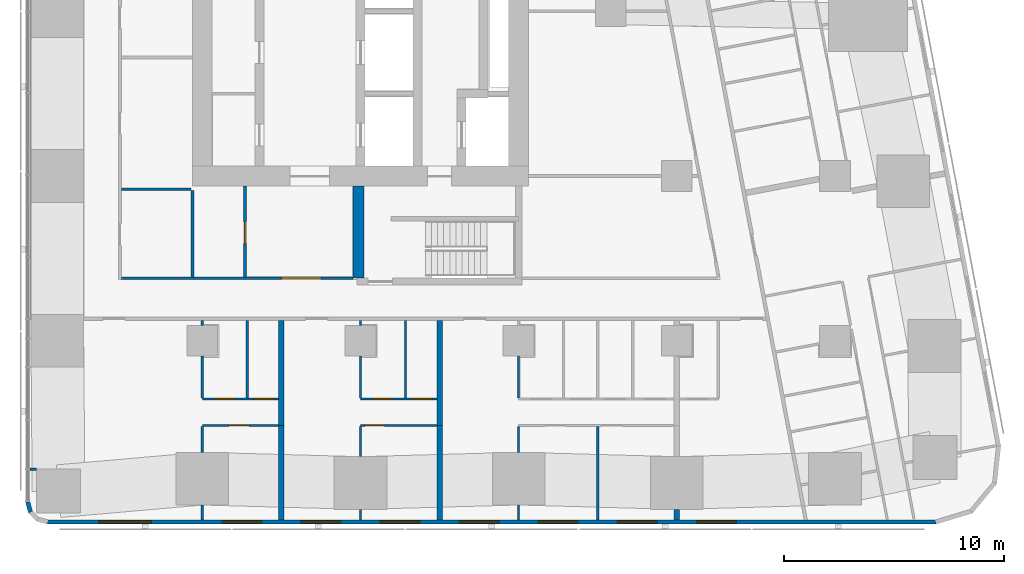
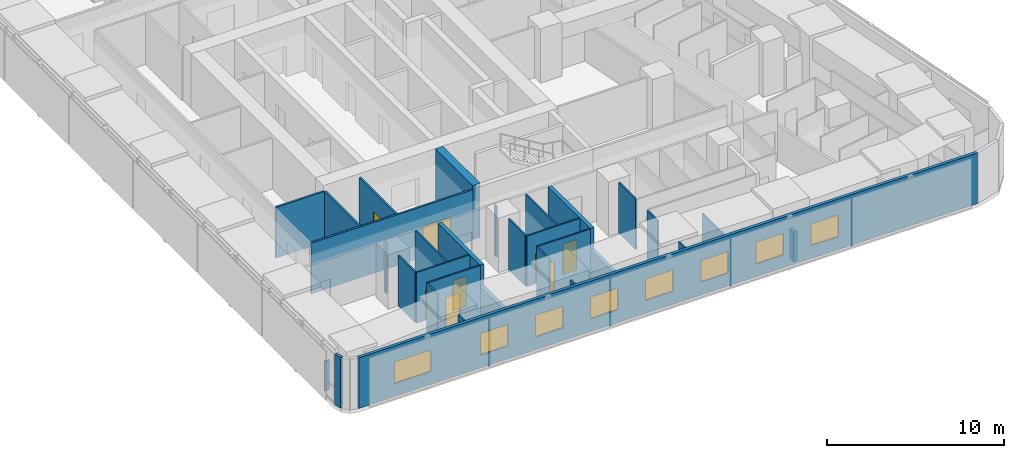
# One storey, part 7 of 17: 31 walls, 8 doors, 8 windows, 16 openings.
"""IFC4 building model written with IfcOpenShell, lengths in metres."""

from ifc_helpers import new_model, si_unit, direction, frame, frame_2d, origin, place, context, subcontext, project, spatial, rectangle, extrude, material, layer, layer_set, type_object, element, fill, save


model = new_model("IFC4")

# Units and contexts
model_context = context("Model", 3, precision=1e-05, world=origin(), true_north=direction((0.0, 1.0)))
body_context = subcontext(model_context, "Body", "Model", "MODEL_VIEW")
ifc_project = project(units=[si_unit("LENGTHUNIT", "METRE"), si_unit("AREAUNIT", "SQUARE_METRE"), si_unit("VOLUMEUNIT", "CUBIC_METRE"), si_unit("PLANEANGLEUNIT", "RADIAN"), si_unit("MASSUNIT", "GRAM", prefix="KILO")], contexts=[model_context])

# Site, building, storey
site_placement = place(None, origin())
site = spatial("IfcSite", under=ifc_project, at=site_placement, CompositionType="ELEMENT")
building_placement = place(site_placement, origin())
building = spatial("IfcBuilding", under=site, at=building_placement, Name="Sheger Commons Tower", CompositionType="ELEMENT")
storey_placement = place(building_placement, frame((0.0, 0.0, 212.449951171875)))
storey = spatial("IfcBuildingStorey", under=building, at=storey_placement, Name="L54", CompositionType="ELEMENT", Elevation=212.449951171875)

# Walls
ifc_material_1 = material(Name="Dense concrete block masonry, plastered both sides (separating wall between flats)", Category="masonry")
ifc_layer_1 = layer(ifc_material_1, 0.25)
ifc_layer_set_1 = layer_set([ifc_layer_1], Name="DEMISING WALL 250")
wall_type_1 = type_object("IfcWallType", Name="DEMISING WALL 250", PredefinedType="SOLIDWALL", material=ifc_layer_set_1)
wall_1_placement = place(storey_placement, frame((18.0, -0.64990234375, 0.0), z_axis=(0.0, 0.0, 1.0), x_axis=(0.0, 1.0, 0.0)))
element("IfcWall", 1, at=wall_1_placement, inside=storey, type_object=wall_type_1, Name="Demising wall L54", PredefinedType="SOLIDWALL", context=body_context, shape_type="SweptSolid", body=[
    extrude(rectangle(XDim=4.2998046875, YDim=0.25, at=frame_2d((2.14990234375, 0.0))), origin(), (0.0, 0.0, 1.0), 2.050048828125),
])
wall_2_placement = place(storey_placement, frame((18.0, 3.64990234375, 0.0), z_axis=(0.0, 0.0, 1.0), x_axis=(0.0, 1.0, 0.0)))
element("IfcWall", 2, at=wall_2_placement, inside=storey, type_object=wall_type_1, Name="Demising wall L54", PredefinedType="SOLIDWALL", context=body_context, shape_type="SweptSolid", body=[
    extrude(rectangle(XDim=4.775146484375, YDim=0.25, at=frame_2d((2.3876953125, 0.0))), origin(), (0.0, 0.0, 1.0), 3.5),
])
wall_3_placement = place(storey_placement, frame((25.199951171875, -0.64990234375, 0.0), z_axis=(0.0, 0.0, 1.0), x_axis=(0.0, 1.0, 0.0)))
element("IfcWall", 3, at=wall_3_placement, inside=storey, type_object=wall_type_1, Name="Demising wall L54", PredefinedType="SOLIDWALL", context=body_context, shape_type="SweptSolid", body=[
    extrude(rectangle(XDim=4.2998046875, YDim=0.25, at=frame_2d((2.14990234375, 0.0))), origin(), (0.0, 0.0, 1.0), 2.050048828125),
])
wall_4_placement = place(storey_placement, frame((25.199951171875, 3.64990234375, 0.0), z_axis=(0.0, 0.0, 1.0), x_axis=(0.0, 1.0, 0.0)))
element("IfcWall", 4, at=wall_4_placement, inside=storey, type_object=wall_type_1, Name="Demising wall L54", PredefinedType="SOLIDWALL", context=body_context, shape_type="SweptSolid", body=[
    extrude(rectangle(XDim=4.775146484375, YDim=0.25, at=frame_2d((2.3876953125, 0.0))), origin(), (0.0, 0.0, 1.0), 3.5),
])
wall_5_placement = place(storey_placement, frame((36.0, -0.64990234375, 0.0), z_axis=(0.0, 0.0, 1.0), x_axis=(0.0, 1.0, 0.0)))
element("IfcWall", 5, at=wall_5_placement, inside=storey, type_object=wall_type_1, Name="Demising wall L54", PredefinedType="SOLIDWALL", context=body_context, shape_type="SweptSolid", body=[
    extrude(rectangle(XDim=0.473876953125, YDim=0.25, at=frame_2d((0.23681640625, 0.0))), origin(), (0.0, 0.0, 1.0), 2.050048828125),
])

# Wall, openings, windows
ifc_material_2 = material(Name="Rendered concrete block masonry, dark grey", Category="masonry")
ifc_layer_2 = layer(ifc_material_2, 0.199951171875)
ifc_layer_set_2 = layer_set([ifc_layer_2], Name="FACADE WALL 200")
wall_type_2 = type_object("IfcWallType", Name="FACADE WALL 200", PredefinedType="SOLIDWALL", material=ifc_layer_set_2)
wall_6_placement = place(storey_placement, frame((7.363037109375, -0.75, 0.0), z_axis=(0.0, 0.0, 1.0), x_axis=(1.0, 0.0, 0.0)))
wall_6 = element("IfcWall", 6, at=wall_6_placement, inside=storey, type_object=wall_type_2, Name="Facade wall L54", PredefinedType="SOLIDWALL", context=body_context, shape_type="SweptSolid", body=[
    extrude(rectangle(XDim=40.427978515625, YDim=0.199951171875, at=frame_2d((20.2138671875, 0.0))), origin(), (0.0, 0.0, 1.0), 3.5),
])
opening_1_placement = place(wall_6_placement, frame((2.319091796875, 0.0, 0.89990234375)))
opening_1 = element("IfcOpeningElement", 7, at=opening_1_placement, cuts=wall_6, Name="Opening W1", PredefinedType="OPENING", context=body_context, shape_type="SweptSolid", body=[
    extrude(rectangle(XDim=2.39990234375, YDim=1.5, at=frame_2d((1.199951171875, 0.75))), frame((0.0, 0.10986328125, 0.0), z_axis=(0.0, -1.0, 0.0), x_axis=(1.0, 0.0, 0.0)), (0.0, 0.0, 1.0), 0.219970703125),
])
opening_2_placement = place(wall_6_placement, frame((7.93701171875, 0.0, 0.89990234375)))
opening_2 = element("IfcOpeningElement", 8, at=opening_2_placement, cuts=wall_6, Name="Opening W2", PredefinedType="OPENING", context=body_context, shape_type="SweptSolid", body=[
    extrude(rectangle(XDim=1.800048828125, YDim=1.5, at=frame_2d((0.89990234375, 0.75))), frame((0.0, 0.10986328125, 0.0), z_axis=(0.0, -1.0, 0.0), x_axis=(1.0, 0.0, 0.0)), (0.0, 0.0, 1.0), 0.219970703125),
])
opening_3_placement = place(wall_6_placement, frame((11.537109375, 0.0, 0.89990234375)))
opening_3 = element("IfcOpeningElement", 9, at=opening_3_placement, cuts=wall_6, Name="Opening W2", PredefinedType="OPENING", context=body_context, shape_type="SweptSolid", body=[
    extrude(rectangle(XDim=1.800048828125, YDim=1.5, at=frame_2d((0.89990234375, 0.75))), frame((0.0, 0.10986328125, 0.0), z_axis=(0.0, -1.0, 0.0), x_axis=(1.0, 0.0, 0.0)), (0.0, 0.0, 1.0), 0.219970703125),
])
opening_4_placement = place(wall_6_placement, frame((15.136962890625, 0.0, 0.89990234375)))
opening_4 = element("IfcOpeningElement", 10, at=opening_4_placement, cuts=wall_6, Name="Opening W2", PredefinedType="OPENING", context=body_context, shape_type="SweptSolid", body=[
    extrude(rectangle(XDim=1.800048828125, YDim=1.5, at=frame_2d((0.89990234375, 0.75))), frame((0.0, 0.10986328125, 0.0), z_axis=(0.0, -1.0, 0.0), x_axis=(1.0, 0.0, 0.0)), (0.0, 0.0, 1.0), 0.219970703125),
])
opening_5_placement = place(wall_6_placement, frame((18.737060546875, 0.0, 0.89990234375)))
opening_5 = element("IfcOpeningElement", 11, at=opening_5_placement, cuts=wall_6, Name="Opening W2", PredefinedType="OPENING", context=body_context, shape_type="SweptSolid", body=[
    extrude(rectangle(XDim=1.800048828125, YDim=1.5, at=frame_2d((0.89990234375, 0.75))), frame((0.0, 0.10986328125, 0.0), z_axis=(0.0, -1.0, 0.0), x_axis=(1.0, 0.0, 0.0)), (0.0, 0.0, 1.0), 0.219970703125),
])
opening_6_placement = place(wall_6_placement, frame((22.3369140625, 0.0, 0.89990234375)))
opening_6 = element("IfcOpeningElement", 12, at=opening_6_placement, cuts=wall_6, Name="Opening W2", PredefinedType="OPENING", context=body_context, shape_type="SweptSolid", body=[
    extrude(rectangle(XDim=1.800048828125, YDim=1.5, at=frame_2d((0.89990234375, 0.75))), frame((0.0, 0.10986328125, 0.0), z_axis=(0.0, -1.0, 0.0), x_axis=(1.0, 0.0, 0.0)), (0.0, 0.0, 1.0), 0.219970703125),
])
opening_7_placement = place(wall_6_placement, frame((25.93701171875, 0.0, 0.89990234375)))
opening_7 = element("IfcOpeningElement", 13, at=opening_7_placement, cuts=wall_6, Name="Opening W2", PredefinedType="OPENING", context=body_context, shape_type="SweptSolid", body=[
    extrude(rectangle(XDim=1.800048828125, YDim=1.5, at=frame_2d((0.89990234375, 0.75))), frame((0.0, 0.10986328125, 0.0), z_axis=(0.0, -1.0, 0.0), x_axis=(1.0, 0.0, 0.0)), (0.0, 0.0, 1.0), 0.219970703125),
])
opening_8_placement = place(wall_6_placement, frame((29.537109375, 0.0, 0.89990234375)))
opening_8 = element("IfcOpeningElement", 14, at=opening_8_placement, cuts=wall_6, Name="Opening W2", PredefinedType="OPENING", context=body_context, shape_type="SweptSolid", body=[
    extrude(rectangle(XDim=1.800048828125, YDim=1.5, at=frame_2d((0.89990234375, 0.75))), frame((0.0, 0.10986328125, 0.0), z_axis=(0.0, -1.0, 0.0), x_axis=(1.0, 0.0, 0.0)), (0.0, 0.0, 1.0), 0.219970703125),
])
ifc_material_3 = material(Name="Black aluminium frame, dark tinted double glazing", Category="aluminium")
window_type_1 = type_object("IfcWindowType", Name="WINDOW W1 2400x1500", PartitioningType="SINGLE_PANEL", PredefinedType="WINDOW", material=ifc_material_3)
window_1_placement = place(opening_1_placement, origin())
window_1 = element("IfcWindow", 15, at=window_1_placement, inside=storey, type_object=window_type_1, Name="Window W1 2400X1500", OverallHeight=1.5, OverallWidth=2.39990234375, PartitioningType="SINGLE_PANEL", PredefinedType="WINDOW", context=body_context, shape_type="SweptSolid", body=[
    extrude(rectangle(XDim=2.39990234375, YDim=1.5, at=frame_2d((1.199951171875, 0.75))), frame((0.0, 0.030029296875, 0.0), z_axis=(0.0, -1.0, 0.0), x_axis=(1.0, 0.0, 0.0)), (0.0, 0.0, 1.0), 0.06005859375),
])
fill(opening_1, window_1)
ifc_material_4 = material(Name="Black aluminium frame, dark tinted double glazing", Category="aluminium")
window_type_2 = type_object("IfcWindowType", Name="WINDOW W2 1800x1500", PartitioningType="SINGLE_PANEL", PredefinedType="WINDOW", material=ifc_material_4)
window_2_placement = place(opening_2_placement, origin())
window_2 = element("IfcWindow", 16, at=window_2_placement, inside=storey, type_object=window_type_2, Name="Window W2 1800X1500", OverallHeight=1.5, OverallWidth=1.800048828125, PartitioningType="SINGLE_PANEL", PredefinedType="WINDOW", context=body_context, shape_type="SweptSolid", body=[
    extrude(rectangle(XDim=1.800048828125, YDim=1.5, at=frame_2d((0.89990234375, 0.75))), frame((0.0, 0.030029296875, 0.0), z_axis=(0.0, -1.0, 0.0), x_axis=(1.0, 0.0, 0.0)), (0.0, 0.0, 1.0), 0.06005859375),
])
fill(opening_2, window_2)
window_3_placement = place(opening_3_placement, origin())
window_3 = element("IfcWindow", 17, at=window_3_placement, inside=storey, type_object=window_type_2, Name="Window W2 1800X1500", OverallHeight=1.5, OverallWidth=1.800048828125, PartitioningType="SINGLE_PANEL", PredefinedType="WINDOW", context=body_context, shape_type="SweptSolid", body=[
    extrude(rectangle(XDim=1.800048828125, YDim=1.5, at=frame_2d((0.89990234375, 0.75))), frame((0.0, 0.030029296875, 0.0), z_axis=(0.0, -1.0, 0.0), x_axis=(1.0, 0.0, 0.0)), (0.0, 0.0, 1.0), 0.06005859375),
])
fill(opening_3, window_3)
window_4_placement = place(opening_4_placement, origin())
window_4 = element("IfcWindow", 18, at=window_4_placement, inside=storey, type_object=window_type_2, Name="Window W2 1800X1500", OverallHeight=1.5, OverallWidth=1.800048828125, PartitioningType="SINGLE_PANEL", PredefinedType="WINDOW", context=body_context, shape_type="SweptSolid", body=[
    extrude(rectangle(XDim=1.800048828125, YDim=1.5, at=frame_2d((0.89990234375, 0.75))), frame((0.0, 0.030029296875, 0.0), z_axis=(0.0, -1.0, 0.0), x_axis=(1.0, 0.0, 0.0)), (0.0, 0.0, 1.0), 0.06005859375),
])
fill(opening_4, window_4)
window_5_placement = place(opening_5_placement, origin())
window_5 = element("IfcWindow", 19, at=window_5_placement, inside=storey, type_object=window_type_2, Name="Window W2 1800X1500", OverallHeight=1.5, OverallWidth=1.800048828125, PartitioningType="SINGLE_PANEL", PredefinedType="WINDOW", context=body_context, shape_type="SweptSolid", body=[
    extrude(rectangle(XDim=1.800048828125, YDim=1.5, at=frame_2d((0.89990234375, 0.75))), frame((0.0, 0.030029296875, 0.0), z_axis=(0.0, -1.0, 0.0), x_axis=(1.0, 0.0, 0.0)), (0.0, 0.0, 1.0), 0.06005859375),
])
fill(opening_5, window_5)
window_6_placement = place(opening_6_placement, origin())
window_6 = element("IfcWindow", 20, at=window_6_placement, inside=storey, type_object=window_type_2, Name="Window W2 1800X1500", OverallHeight=1.5, OverallWidth=1.800048828125, PartitioningType="SINGLE_PANEL", PredefinedType="WINDOW", context=body_context, shape_type="SweptSolid", body=[
    extrude(rectangle(XDim=1.800048828125, YDim=1.5, at=frame_2d((0.89990234375, 0.75))), frame((0.0, 0.030029296875, 0.0), z_axis=(0.0, -1.0, 0.0), x_axis=(1.0, 0.0, 0.0)), (0.0, 0.0, 1.0), 0.06005859375),
])
fill(opening_6, window_6)
window_7_placement = place(opening_7_placement, origin())
window_7 = element("IfcWindow", 21, at=window_7_placement, inside=storey, type_object=window_type_2, Name="Window W2 1800X1500", OverallHeight=1.5, OverallWidth=1.800048828125, PartitioningType="SINGLE_PANEL", PredefinedType="WINDOW", context=body_context, shape_type="SweptSolid", body=[
    extrude(rectangle(XDim=1.800048828125, YDim=1.5, at=frame_2d((0.89990234375, 0.75))), frame((0.0, 0.030029296875, 0.0), z_axis=(0.0, -1.0, 0.0), x_axis=(1.0, 0.0, 0.0)), (0.0, 0.0, 1.0), 0.06005859375),
])
fill(opening_7, window_7)
window_8_placement = place(opening_8_placement, origin())
window_8 = element("IfcWindow", 22, at=window_8_placement, inside=storey, type_object=window_type_2, Name="Window W2 1800X1500", OverallHeight=1.5, OverallWidth=1.800048828125, PartitioningType="SINGLE_PANEL", PredefinedType="WINDOW", context=body_context, shape_type="SweptSolid", body=[
    extrude(rectangle(XDim=1.800048828125, YDim=1.5, at=frame_2d((0.89990234375, 0.75))), frame((0.0, 0.030029296875, 0.0), z_axis=(0.0, -1.0, 0.0), x_axis=(1.0, 0.0, 0.0)), (0.0, 0.0, 1.0), 0.06005859375),
])
fill(opening_8, window_8)

# Walls
wall_7_placement = place(storey_placement, frame((6.449951171875, 0.1630859375, 0.0), z_axis=(0.0, 0.0, 1.0), x_axis=(0.259698463175, -0.965689757751, 0.0)))
element("IfcWall", 23, at=wall_7_placement, inside=storey, type_object=wall_type_2, Name="Facade wall L54", PredefinedType="SOLIDWALL", context=body_context, shape_type="SweptSolid", body=[
    extrude(rectangle(XDim=0.4775390625, YDim=0.199951171875, at=frame_2d((0.23876953125, 0.0))), origin(), (0.0, 0.0, 1.0), 3.5),
])
ifc_material_5 = material(Name="Gypsum board on steel studs", Category="steel")
ifc_layer_3 = layer(ifc_material_5, 0.10009765625)
ifc_layer_set_3 = layer_set([ifc_layer_3], Name="PARTITION 100")
wall_type_3 = type_object("IfcWallType", Name="PARTITION 100", PredefinedType="PARTITIONING", material=ifc_layer_set_3)
wall_8_placement = place(storey_placement, frame((6.550048828125, 1.654052734375, 0.0), z_axis=(0.0, 0.0, 1.0), x_axis=(1.0, 0.0, 0.0)))
element("IfcWall", 24, at=wall_8_placement, inside=storey, type_object=wall_type_3, Name="Partition L54", PredefinedType="PARTITIONING", context=body_context, shape_type="SweptSolid", body=[
    extrude(rectangle(XDim=0.303955078125, YDim=0.10009765625, at=frame_2d((0.15185546875, 0.0))), origin(), (0.0, 0.0, 1.0), 2.050048828125),
])

# Wall, opening, door
wall_9_placement = place(storey_placement, frame((17.875, 3.64990234375, 0.0), z_axis=(0.0, 0.0, 1.0), x_axis=(-1.0, 0.0, 0.0)))
wall_9 = element("IfcWall", 25, at=wall_9_placement, inside=storey, type_object=wall_type_3, Name="Partition L54", PredefinedType="PARTITIONING", context=body_context, shape_type="SweptSolid", body=[
    extrude(rectangle(XDim=3.47509765625, YDim=0.10009765625, at=frame_2d((1.737548828125, 0.0))), origin(), (0.0, 0.0, 1.0), 3.5),
])
opening_9_placement = place(wall_9_placement, frame((1.35009765625, 0.0, 0.0)))
opening_9 = element("IfcOpeningElement", 26, at=opening_9_placement, cuts=wall_9, Name="Opening D2", PredefinedType="OPENING", context=body_context, shape_type="SweptSolid", body=[
    extrude(rectangle(XDim=0.89990234375, YDim=2.10009765625, at=frame_2d((0.449951171875, 1.050048828125))), frame((0.0, 0.06005859375, 0.0), z_axis=(0.0, -1.0, 0.0), x_axis=(1.0, 0.0, 0.0)), (0.0, 0.0, 1.0), 0.1201171875),
])
ifc_material_6 = material(Name="Timber door set", Category="wood")
door_type_1 = type_object("IfcDoorType", Name="INTERNAL DOOR 900x2100", OperationType="NOTDEFINED", PredefinedType="DOOR", material=ifc_material_6)
door_1_placement = place(opening_9_placement, origin())
door_1 = element("IfcDoor", 27, at=door_1_placement, inside=storey, type_object=door_type_1, Name="Main bedroom door", OperationType="SINGLE_SWING_RIGHT", OverallHeight=2.10009765625, OverallWidth=0.89990234375, PredefinedType="DOOR", context=body_context, shape_type="SweptSolid", body=[
    extrude(rectangle(XDim=0.89990234375, YDim=2.10009765625, at=frame_2d((0.449951171875, 1.050048828125))), frame((0.0, 0.02490234375, 0.0), z_axis=(0.0, -1.0, 0.0), x_axis=(1.0, 0.0, 0.0)), (0.0, 0.0, 1.0), 0.050048828125),
])
fill(opening_9, door_1)

# Wall, openings, doors
wall_10_placement = place(storey_placement, frame((17.875, 4.85009765625, 0.0), z_axis=(0.0, 0.0, 1.0), x_axis=(-1.0, 0.0, 0.0)))
wall_10 = element("IfcWall", 28, at=wall_10_placement, inside=storey, type_object=wall_type_3, Name="Partition L54", PredefinedType="PARTITIONING", context=body_context, shape_type="SweptSolid", body=[
    extrude(rectangle(XDim=3.47509765625, YDim=0.10009765625, at=frame_2d((1.737548828125, 0.0))), origin(), (0.0, 0.0, 1.0), 3.5),
])
opening_10_placement = place(wall_10_placement, frame((2.0, 0.0, 0.0)))
opening_10 = element("IfcOpeningElement", 29, at=opening_10_placement, cuts=wall_10, Name="Opening D2", PredefinedType="OPENING", context=body_context, shape_type="SweptSolid", body=[
    extrude(rectangle(XDim=0.89990234375, YDim=2.10009765625, at=frame_2d((0.449951171875, 1.050048828125))), frame((0.0, 0.06005859375, 0.0), z_axis=(0.0, -1.0, 0.0), x_axis=(1.0, 0.0, 0.0)), (0.0, 0.0, 1.0), 0.1201171875),
])
opening_11_placement = place(wall_10_placement, frame((0.199951171875, 0.0, 0.0)))
opening_11 = element("IfcOpeningElement", 30, at=opening_11_placement, cuts=wall_10, Name="Opening D2", PredefinedType="OPENING", context=body_context, shape_type="SweptSolid", body=[
    extrude(rectangle(XDim=0.89990234375, YDim=2.10009765625, at=frame_2d((0.449951171875, 1.050048828125))), frame((0.0, 0.06005859375, 0.0), z_axis=(0.0, -1.0, 0.0), x_axis=(1.0, 0.0, 0.0)), (0.0, 0.0, 1.0), 0.1201171875),
])
door_2_placement = place(opening_10_placement, origin())
door_2 = element("IfcDoor", 31, at=door_2_placement, inside=storey, type_object=door_type_1, Name="Bathroom door", OperationType="SINGLE_SWING_LEFT", OverallHeight=2.10009765625, OverallWidth=0.89990234375, PredefinedType="DOOR", context=body_context, shape_type="SweptSolid", body=[
    extrude(rectangle(XDim=0.89990234375, YDim=2.10009765625, at=frame_2d((0.449951171875, 1.050048828125))), frame((0.0, 0.02490234375, 0.0), z_axis=(0.0, -1.0, 0.0), x_axis=(1.0, 0.0, 0.0)), (0.0, 0.0, 1.0), 0.050048828125),
])
fill(opening_10, door_2)
door_3_placement = place(opening_11_placement, origin())
door_3 = element("IfcDoor", 32, at=door_3_placement, inside=storey, type_object=door_type_1, Name="Store door", OperationType="SINGLE_SWING_RIGHT", OverallHeight=2.10009765625, OverallWidth=0.89990234375, PredefinedType="DOOR", context=body_context, shape_type="SweptSolid", body=[
    extrude(rectangle(XDim=0.89990234375, YDim=2.10009765625, at=frame_2d((0.449951171875, 1.050048828125))), frame((0.0, 0.02490234375, 0.0), z_axis=(0.0, -1.0, 0.0), x_axis=(1.0, 0.0, 0.0)), (0.0, 0.0, 1.0), 0.050048828125),
])
fill(opening_11, door_3)

# Walls
wall_11_placement = place(storey_placement, frame((14.39990234375, -0.64990234375, 0.0), z_axis=(0.0, 0.0, 1.0), x_axis=(0.0, 1.0, 0.0)))
element("IfcWall", 33, at=wall_11_placement, inside=storey, type_object=wall_type_3, Name="Partition L54", PredefinedType="PARTITIONING", context=body_context, shape_type="SweptSolid", body=[
    extrude(rectangle(XDim=0.673828125, YDim=0.10009765625, at=frame_2d((0.3369140625, 0.0))), origin(), (0.0, 0.0, 1.0), 3.5),
])
wall_12_placement = place(storey_placement, frame((14.39990234375, 2.426025390625, 0.0), z_axis=(0.0, 0.0, 1.0), x_axis=(0.0, 1.0, 0.0)))
element("IfcWall", 34, at=wall_12_placement, inside=storey, type_object=wall_type_3, Name="Partition L54", PredefinedType="PARTITIONING", context=body_context, shape_type="SweptSolid", body=[
    extrude(rectangle(XDim=1.174072265625, YDim=0.10009765625, at=frame_2d((0.5869140625, 0.0))), origin(), (0.0, 0.0, 1.0), 3.5),
])
wall_13_placement = place(storey_placement, frame((14.39990234375, 4.89990234375, 0.0), z_axis=(0.0, 0.0, 1.0), x_axis=(0.0, 1.0, 0.0)))
element("IfcWall", 35, at=wall_13_placement, inside=storey, type_object=wall_type_3, Name="Partition L54", PredefinedType="PARTITIONING", context=body_context, shape_type="SweptSolid", body=[
    extrude(rectangle(XDim=1.899169921875, YDim=0.10009765625, at=frame_2d((0.94970703125, 0.0))), origin(), (0.0, 0.0, 1.0), 3.5),
])
wall_14_placement = place(storey_placement, frame((14.39990234375, 8.200927734375, 0.0), z_axis=(0.0, 0.0, 1.0), x_axis=(0.0, 1.0, 0.0)))
element("IfcWall", 36, at=wall_14_placement, inside=storey, type_object=wall_type_3, Name="Partition L54", PredefinedType="PARTITIONING", context=body_context, shape_type="SweptSolid", body=[
    extrude(rectangle(XDim=0.22412109375, YDim=0.10009765625, at=frame_2d((0.112060546875, 0.0))), origin(), (0.0, 0.0, 1.0), 3.5),
])
wall_15_placement = place(storey_placement, frame((16.449951171875, 4.89990234375, 0.0), z_axis=(0.0, 0.0, 1.0), x_axis=(0.0, 1.0, 0.0)))
element("IfcWall", 37, at=wall_15_placement, inside=storey, type_object=wall_type_3, Name="Partition L54", PredefinedType="PARTITIONING", context=body_context, shape_type="SweptSolid", body=[
    extrude(rectangle(XDim=3.525146484375, YDim=0.10009765625, at=frame_2d((1.7626953125, 0.0))), origin(), (0.0, 0.0, 1.0), 3.5),
])

# Wall, opening, door
wall_16_placement = place(storey_placement, frame((25.074951171875, 3.64990234375, 0.0), z_axis=(0.0, 0.0, 1.0), x_axis=(-1.0, 0.0, 0.0)))
wall_16 = element("IfcWall", 38, at=wall_16_placement, inside=storey, type_object=wall_type_3, Name="Partition L54", PredefinedType="PARTITIONING", context=body_context, shape_type="SweptSolid", body=[
    extrude(rectangle(XDim=3.474853515625, YDim=0.10009765625, at=frame_2d((1.7373046875, 0.0))), origin(), (0.0, 0.0, 1.0), 3.5),
])
opening_12_placement = place(wall_16_placement, frame((2.375, 0.0, 0.0)))
opening_12 = element("IfcOpeningElement", 39, at=opening_12_placement, cuts=wall_16, Name="Opening D2", PredefinedType="OPENING", context=body_context, shape_type="SweptSolid", body=[
    extrude(rectangle(XDim=0.89990234375, YDim=2.10009765625, at=frame_2d((0.449951171875, 1.050048828125))), frame((0.0, 0.06005859375, 0.0), z_axis=(0.0, -1.0, 0.0), x_axis=(1.0, 0.0, 0.0)), (0.0, 0.0, 1.0), 0.1201171875),
])
door_4_placement = place(opening_12_placement, origin())
door_4 = element("IfcDoor", 40, at=door_4_placement, inside=storey, type_object=door_type_1, Name="Main bedroom door", OperationType="SINGLE_SWING_RIGHT", OverallHeight=2.10009765625, OverallWidth=0.89990234375, PredefinedType="DOOR", context=body_context, shape_type="SweptSolid", body=[
    extrude(rectangle(XDim=0.89990234375, YDim=2.10009765625, at=frame_2d((0.449951171875, 1.050048828125))), frame((0.0, 0.02490234375, 0.0), z_axis=(0.0, -1.0, 0.0), x_axis=(1.0, 0.0, 0.0)), (0.0, 0.0, 1.0), 0.050048828125),
])
fill(opening_12, door_4)

# Wall, openings, doors
wall_17_placement = place(storey_placement, frame((25.074951171875, 4.85009765625, 0.0), z_axis=(0.0, 0.0, 1.0), x_axis=(-1.0, 0.0, 0.0)))
wall_17 = element("IfcWall", 41, at=wall_17_placement, inside=storey, type_object=wall_type_3, Name="Partition L54", PredefinedType="PARTITIONING", context=body_context, shape_type="SweptSolid", body=[
    extrude(rectangle(XDim=3.474853515625, YDim=0.10009765625, at=frame_2d((1.7373046875, 0.0))), origin(), (0.0, 0.0, 1.0), 3.5),
])
opening_13_placement = place(wall_17_placement, frame((2.0, 0.0, 0.0)))
opening_13 = element("IfcOpeningElement", 42, at=opening_13_placement, cuts=wall_17, Name="Opening D2", PredefinedType="OPENING", context=body_context, shape_type="SweptSolid", body=[
    extrude(rectangle(XDim=0.89990234375, YDim=2.10009765625, at=frame_2d((0.449951171875, 1.050048828125))), frame((0.0, 0.06005859375, 0.0), z_axis=(0.0, -1.0, 0.0), x_axis=(1.0, 0.0, 0.0)), (0.0, 0.0, 1.0), 0.1201171875),
])
opening_14_placement = place(wall_17_placement, frame((0.199951171875, 0.0, 0.0)))
opening_14 = element("IfcOpeningElement", 43, at=opening_14_placement, cuts=wall_17, Name="Opening D2", PredefinedType="OPENING", context=body_context, shape_type="SweptSolid", body=[
    extrude(rectangle(XDim=0.89990234375, YDim=2.10009765625, at=frame_2d((0.449951171875, 1.050048828125))), frame((0.0, 0.06005859375, 0.0), z_axis=(0.0, -1.0, 0.0), x_axis=(1.0, 0.0, 0.0)), (0.0, 0.0, 1.0), 0.1201171875),
])
door_5_placement = place(opening_13_placement, origin())
door_5 = element("IfcDoor", 44, at=door_5_placement, inside=storey, type_object=door_type_1, Name="Bathroom door", OperationType="SINGLE_SWING_LEFT", OverallHeight=2.10009765625, OverallWidth=0.89990234375, PredefinedType="DOOR", context=body_context, shape_type="SweptSolid", body=[
    extrude(rectangle(XDim=0.89990234375, YDim=2.10009765625, at=frame_2d((0.449951171875, 1.050048828125))), frame((0.0, 0.02490234375, 0.0), z_axis=(0.0, -1.0, 0.0), x_axis=(1.0, 0.0, 0.0)), (0.0, 0.0, 1.0), 0.050048828125),
])
fill(opening_13, door_5)
door_6_placement = place(opening_14_placement, origin())
door_6 = element("IfcDoor", 45, at=door_6_placement, inside=storey, type_object=door_type_1, Name="Store door", OperationType="SINGLE_SWING_RIGHT", OverallHeight=2.10009765625, OverallWidth=0.89990234375, PredefinedType="DOOR", context=body_context, shape_type="SweptSolid", body=[
    extrude(rectangle(XDim=0.89990234375, YDim=2.10009765625, at=frame_2d((0.449951171875, 1.050048828125))), frame((0.0, 0.02490234375, 0.0), z_axis=(0.0, -1.0, 0.0), x_axis=(1.0, 0.0, 0.0)), (0.0, 0.0, 1.0), 0.050048828125),
])
fill(opening_14, door_6)

# Walls
wall_18_placement = place(storey_placement, frame((21.60009765625, -0.64990234375, 0.0), z_axis=(0.0, 0.0, 1.0), x_axis=(0.0, 1.0, 0.0)))
element("IfcWall", 46, at=wall_18_placement, inside=storey, type_object=wall_type_3, Name="Partition L54", PredefinedType="PARTITIONING", context=body_context, shape_type="SweptSolid", body=[
    extrude(rectangle(XDim=0.473876953125, YDim=0.10009765625, at=frame_2d((0.23681640625, 0.0))), origin(), (0.0, 0.0, 1.0), 3.5),
])
wall_19_placement = place(storey_placement, frame((21.60009765625, 2.22607421875, 0.0), z_axis=(0.0, 0.0, 1.0), x_axis=(0.0, 1.0, 0.0)))
element("IfcWall", 47, at=wall_19_placement, inside=storey, type_object=wall_type_3, Name="Partition L54", PredefinedType="PARTITIONING", context=body_context, shape_type="SweptSolid", body=[
    extrude(rectangle(XDim=1.3740234375, YDim=0.10009765625, at=frame_2d((0.68701171875, 0.0))), origin(), (0.0, 0.0, 1.0), 3.5),
])
wall_20_placement = place(storey_placement, frame((21.60009765625, 4.89990234375, 0.0), z_axis=(0.0, 0.0, 1.0), x_axis=(0.0, 1.0, 0.0)))
element("IfcWall", 48, at=wall_20_placement, inside=storey, type_object=wall_type_3, Name="Partition L54", PredefinedType="PARTITIONING", context=body_context, shape_type="SweptSolid", body=[
    extrude(rectangle(XDim=1.899169921875, YDim=0.10009765625, at=frame_2d((0.94970703125, 0.0))), origin(), (0.0, 0.0, 1.0), 3.5),
])
wall_21_placement = place(storey_placement, frame((21.60009765625, 8.200927734375, 0.0), z_axis=(0.0, 0.0, 1.0), x_axis=(0.0, 1.0, 0.0)))
element("IfcWall", 49, at=wall_21_placement, inside=storey, type_object=wall_type_3, Name="Partition L54", PredefinedType="PARTITIONING", context=body_context, shape_type="SweptSolid", body=[
    extrude(rectangle(XDim=0.22412109375, YDim=0.10009765625, at=frame_2d((0.112060546875, 0.0))), origin(), (0.0, 0.0, 1.0), 3.5),
])
wall_22_placement = place(storey_placement, frame((23.64990234375, 4.89990234375, 0.0), z_axis=(0.0, 0.0, 1.0), x_axis=(0.0, 1.0, 0.0)))
element("IfcWall", 50, at=wall_22_placement, inside=storey, type_object=wall_type_3, Name="Partition L54", PredefinedType="PARTITIONING", context=body_context, shape_type="SweptSolid", body=[
    extrude(rectangle(XDim=3.525146484375, YDim=0.10009765625, at=frame_2d((1.7626953125, 0.0))), origin(), (0.0, 0.0, 1.0), 3.5),
])
wall_23_placement = place(storey_placement, frame((28.800048828125, -0.64990234375, 0.0), z_axis=(0.0, 0.0, 1.0), x_axis=(0.0, 1.0, 0.0)))
element("IfcWall", 51, at=wall_23_placement, inside=storey, type_object=wall_type_3, Name="Partition L54", PredefinedType="PARTITIONING", context=body_context, shape_type="SweptSolid", body=[
    extrude(rectangle(XDim=0.673828125, YDim=0.10009765625, at=frame_2d((0.3369140625, 0.0))), origin(), (0.0, 0.0, 1.0), 3.5),
])
wall_24_placement = place(storey_placement, frame((28.800048828125, 2.426025390625, 0.0), z_axis=(0.0, 0.0, 1.0), x_axis=(0.0, 1.0, 0.0)))
element("IfcWall", 52, at=wall_24_placement, inside=storey, type_object=wall_type_3, Name="Partition L54", PredefinedType="PARTITIONING", context=body_context, shape_type="SweptSolid", body=[
    extrude(rectangle(XDim=1.174072265625, YDim=0.10009765625, at=frame_2d((0.5869140625, 0.0))), origin(), (0.0, 0.0, 1.0), 3.5),
])
wall_25_placement = place(storey_placement, frame((32.39990234375, -0.64990234375, 0.0), z_axis=(0.0, 0.0, 1.0), x_axis=(0.0, 1.0, 0.0)))
element("IfcWall", 53, at=wall_25_placement, inside=storey, type_object=wall_type_3, Name="Partition L54", PredefinedType="PARTITIONING", context=body_context, shape_type="SweptSolid", body=[
    extrude(rectangle(XDim=4.25, YDim=0.10009765625, at=frame_2d((2.125, 0.0))), origin(), (0.0, 0.0, 1.0), 2.050048828125),
])
wall_26_placement = place(storey_placement, frame((28.800048828125, 4.89990234375, 0.0), z_axis=(0.0, 0.0, 1.0), x_axis=(0.0, 1.0, 0.0)))
element("IfcWall", 54, at=wall_26_placement, inside=storey, type_object=wall_type_3, Name="Partition L54", PredefinedType="PARTITIONING", context=body_context, shape_type="SweptSolid", body=[
    extrude(rectangle(XDim=1.899169921875, YDim=0.10009765625, at=frame_2d((0.94970703125, 0.0))), origin(), (0.0, 0.0, 1.0), 3.5),
])
ifc_material_7 = material(Name="Gypsum board on steel studs, two layers each side, fire rated", Category="steel")
ifc_layer_4 = layer(ifc_material_7, 0.125)
ifc_layer_set_4 = layer_set([ifc_layer_4], Name="SERVICE WALL 125")
wall_type_4 = type_object("IfcWallType", Name="SERVICE WALL 125", PredefinedType="PARTITIONING", material=ifc_layer_set_4)
wall_27_placement = place(storey_placement, frame((10.712890625, 14.39990234375, 0.0), z_axis=(0.0, 0.0, 1.0), x_axis=(1.0, 0.0, 0.0)))
element("IfcWall", 55, at=wall_27_placement, inside=storey, type_object=wall_type_4, Name="Service room wall L54", PredefinedType="PARTITIONING", context=body_context, shape_type="SweptSolid", body=[
    extrude(rectangle(XDim=3.175048828125, YDim=0.125, at=frame_2d((1.58740234375, 0.0))), origin(), (0.0, 0.0, 1.0), 3.5),
])
wall_28_placement = place(storey_placement, frame((13.949951171875, 10.4130859375, 0.0), z_axis=(0.0, 0.0, 1.0), x_axis=(0.0, 1.0, 0.0)))
element("IfcWall", 56, at=wall_28_placement, inside=storey, type_object=wall_type_4, Name="Service room wall L54", PredefinedType="PARTITIONING", context=body_context, shape_type="SweptSolid", body=[
    extrude(rectangle(XDim=3.9248046875, YDim=0.125, at=frame_2d((1.96240234375, 0.0))), origin(), (0.0, 0.0, 1.0), 3.5),
])

# Wall, opening, door
wall_29_placement = place(storey_placement, frame((10.712890625, 10.35009765625, 0.0), z_axis=(0.0, 0.0, 1.0), x_axis=(1.0, 0.0, 0.0)))
wall_29 = element("IfcWall", 57, at=wall_29_placement, inside=storey, type_object=wall_type_4, Name="Service room wall L54", PredefinedType="PARTITIONING", context=body_context, shape_type="SweptSolid", body=[
    extrude(rectangle(XDim=10.537109375, YDim=0.125, at=frame_2d((5.2685546875, 0.0))), origin(), (0.0, 0.0, 1.0), 3.5),
])
opening_15_placement = place(wall_29_placement, frame((7.281982421875, 0.0, 0.0)))
opening_15 = element("IfcOpeningElement", 58, at=opening_15_placement, cuts=wall_29, Name="Opening D6", PredefinedType="OPENING", context=body_context, shape_type="SweptSolid", body=[
    extrude(rectangle(XDim=1.800048828125, YDim=2.10009765625, at=frame_2d((0.89990234375, 1.050048828125))), frame((0.0, 0.072509765625, 0.0), z_axis=(0.0, -1.0, 0.0), x_axis=(1.0, 0.0, 0.0)), (0.0, 0.0, 1.0), 0.14501953125),
])
ifc_material_8 = material(Name="Steel door set, fire rated", Category="steel")
door_type_2 = type_object("IfcDoorType", Name="LOBBY DOUBLE DOOR 1800x2100", OperationType="DOUBLE_DOOR_SINGLE_SWING", PredefinedType="DOOR", material=ifc_material_8)
door_7_placement = place(opening_15_placement, origin())
door_7 = element("IfcDoor", 59, at=door_7_placement, inside=storey, type_object=door_type_2, Name="Lift lobby south door", OperationType="DOUBLE_DOOR_SINGLE_SWING", OverallHeight=2.10009765625, OverallWidth=1.800048828125, PredefinedType="DOOR", context=body_context, shape_type="SweptSolid", body=[
    extrude(rectangle(XDim=1.800048828125, YDim=2.10009765625, at=frame_2d((0.89990234375, 1.050048828125))), frame((0.0, 0.02490234375, 0.0), z_axis=(0.0, -1.0, 0.0), x_axis=(1.0, 0.0, 0.0)), (0.0, 0.0, 1.0), 0.050048828125),
])
fill(opening_15, door_7)

wall_30_placement = place(storey_placement, frame((16.340087890625, 10.4130859375, 0.0), z_axis=(0.0, 0.0, 1.0), x_axis=(0.0, 1.0, 0.0)))
wall_30 = element("IfcWall", 60, at=wall_30_placement, inside=storey, type_object=wall_type_4, Name="Service room wall L54", PredefinedType="PARTITIONING", context=body_context, shape_type="SweptSolid", body=[
    extrude(rectangle(XDim=4.136962890625, YDim=0.125, at=frame_2d((2.068359375, 0.0))), origin(), (0.0, 0.0, 1.0), 3.5),
])
opening_16_placement = place(wall_30_placement, frame((1.511962890625, 0.0, 0.0)))
opening_16 = element("IfcOpeningElement", 61, at=opening_16_placement, cuts=wall_30, Name="Opening D4", PredefinedType="OPENING", context=body_context, shape_type="SweptSolid", body=[
    extrude(rectangle(XDim=1.0, YDim=2.10009765625, at=frame_2d((0.5, 1.050048828125))), frame((0.0, 0.072509765625, 0.0), z_axis=(0.0, -1.0, 0.0), x_axis=(1.0, 0.0, 0.0)), (0.0, 0.0, 1.0), 0.14501953125),
])
ifc_material_9 = material(Name="Steel door set, fire rated", Category="steel")
door_type_3 = type_object("IfcDoorType", Name="SERVICE DOOR 1000x2100", OperationType="NOTDEFINED", PredefinedType="DOOR", material=ifc_material_9)
door_8_placement = place(opening_16_placement, origin())
door_8 = element("IfcDoor", 62, at=door_8_placement, inside=storey, type_object=door_type_3, Name="Electrical room door", OperationType="SINGLE_SWING_LEFT", OverallHeight=2.10009765625, OverallWidth=1.0, PredefinedType="DOOR", context=body_context, shape_type="SweptSolid", body=[
    extrude(rectangle(XDim=1.0, YDim=2.10009765625, at=frame_2d((0.5, 1.050048828125))), frame((0.0, 0.02490234375, 0.0), z_axis=(0.0, -1.0, 0.0), x_axis=(1.0, 0.0, 0.0)), (0.0, 0.0, 1.0), 0.050048828125),
])
fill(opening_16, door_8)

# Wall
ifc_material_10 = material(Name="Concrete C50/60", Category="concrete")
ifc_layer_5 = layer(ifc_material_10, 0.5)
ifc_layer_set_5 = layer_set([ifc_layer_5], Name="STAIR CORE WALL 500")
wall_type_5 = type_object("IfcWallType", Name="STAIR CORE WALL 500", PredefinedType="SHEAR", material=ifc_layer_set_5)
wall_31_placement = place(storey_placement, frame((21.5, 10.35009765625, 0.0), z_axis=(0.0, 0.0, 1.0), x_axis=(0.0, 1.0, 0.0)))
element("IfcWall", 63, at=wall_31_placement, inside=storey, type_object=wall_type_5, Name="STW-L54-S1W", PredefinedType="SHEAR", context=body_context, shape_type="SweptSolid", body=[
    extrude(rectangle(XDim=4.199951171875, YDim=0.5, at=frame_2d((2.10009765625, 0.0))), origin(), (0.0, 0.0, 1.0), 3.75),
])

save(model, "model.ifc")
